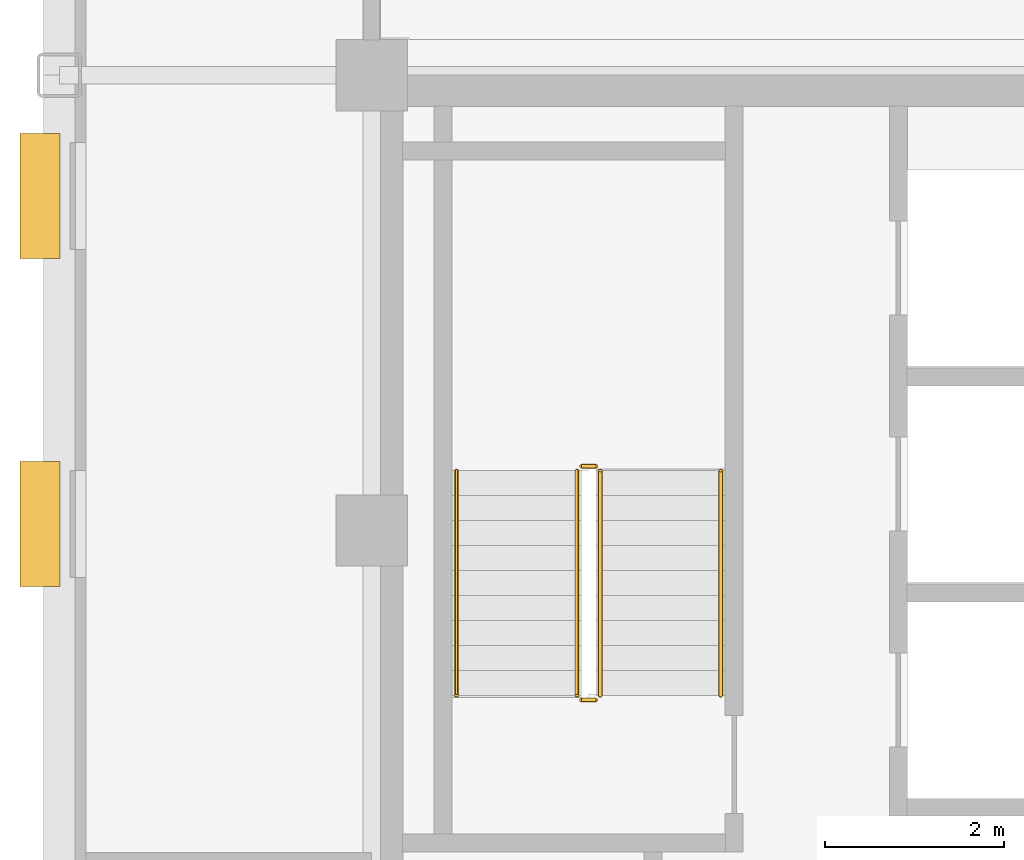
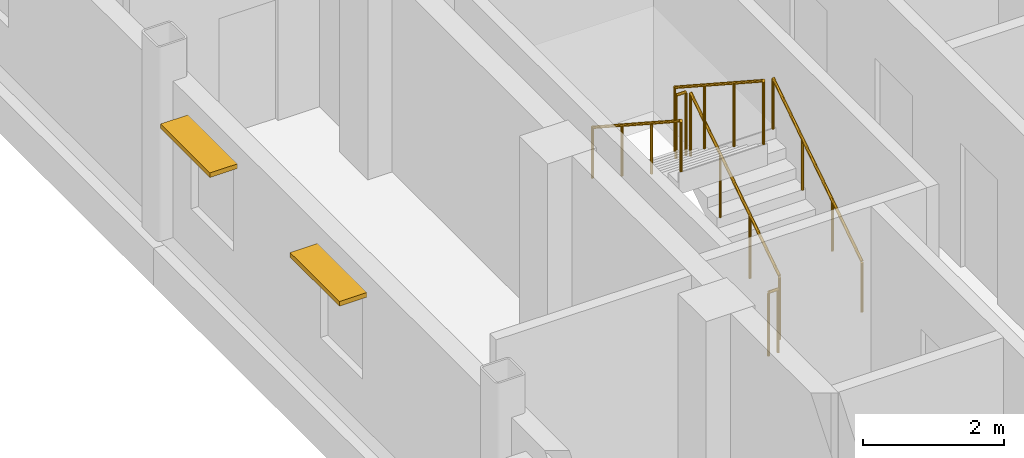
# One storey, part 11 of 13: 6 railings, 2 shading devices.
"""IFC4 building model written with IfcOpenShell, lengths in metres."""

from ifc_helpers import new_model, si_unit, direction, frame, origin, origin_2d, place, context, subcontext, project, spatial, rectangle, circle, extrude, source, transform, mapped, material, type_object, type_shapes, element, save


model = new_model("IFC4")

# Units and contexts
model_context = context("Model", 3, precision=1e-05, world=origin(), true_north=direction((0.0, 1.0)))
body_context = subcontext(model_context, "Body", "Model", "MODEL_VIEW")
ifc_project = project(units=[si_unit("LENGTHUNIT", "METRE"), si_unit("AREAUNIT", "SQUARE_METRE"), si_unit("VOLUMEUNIT", "CUBIC_METRE"), si_unit("PLANEANGLEUNIT", "RADIAN"), si_unit("MASSUNIT", "GRAM", prefix="KILO")], contexts=[model_context])

# Site, building, storey
site_placement = place(None, origin())
site = spatial("IfcSite", under=ifc_project, at=site_placement, CompositionType="ELEMENT")
building_placement = place(site_placement, origin())
building = spatial("IfcBuilding", under=site, at=building_placement, Name="Nuvemarco Arch Tower", CompositionType="ELEMENT")
storey_placement = place(building_placement, frame((0.0, 0.0, 276.199951171875)))
storey = spatial("IfcBuildingStorey", under=building, at=storey_placement, Name="L73", CompositionType="ELEMENT", Elevation=276.199951171875)

# Railings
ifc_material_1 = material(Name="Brushed stainless steel handrail", Category="steel")
railing_type_1 = type_object("IfcRailingType", Name="RL-HANDRAIL-900", PredefinedType="HANDRAIL", material=ifc_material_1)
railing_1_placement = place(storey_placement, frame((-13.590087890625, 2.64990234375, 0.1826171875)))
element("IfcRailing", 1, at=railing_1_placement, inside=storey, type_object=railing_type_1, Name="L73 ST-1 stair handrail 1", PredefinedType="HANDRAIL", context=body_context, shape_type="SweptSolid", body=[
    extrude(circle(Radius=0.02392578125, at=origin_2d()), frame((0.0, 0.0, 0.8759765625), z_axis=(0.0, 0.837786554691, 0.545997883492), x_axis=(-1.0, 0.0, 0.0)), (0.0, 0.0, 1.0), 3.008056640625),
    extrude(circle(Radius=0.02099609375, at=origin_2d()), origin(), (0.0, 0.0, 1.0), 0.851806640625),
    extrude(circle(Radius=0.02099609375, at=origin_2d()), frame((0.0, 0.840087890625, 0.54736328125)), (0.0, 0.0, 1.0), 0.851806640625),
    extrude(circle(Radius=0.02099609375, at=origin_2d()), frame((0.0, 1.679931640625, 1.094970703125)), (0.0, 0.0, 1.0), 0.851806640625),
    extrude(circle(Radius=0.02099609375, at=origin_2d()), frame((0.0, 2.52001953125, 1.642333984375)), (0.0, 0.0, 1.0), 0.851806640625),
])
railing_2_placement = place(storey_placement, frame((-16.550048828125, 5.169921875, 2.007568359375)))
element("IfcRailing", 2, at=railing_2_placement, inside=storey, type_object=railing_type_1, Name="L73 ST-1 stair handrail 2", PredefinedType="HANDRAIL", context=body_context, shape_type="SweptSolid", body=[
    extrude(circle(Radius=0.02392578125, at=origin_2d()), frame((0.0, 0.0, 0.8759765625), z_axis=(0.0, -0.837749427056, 0.546054848405), x_axis=(1.0, 0.0, 0.0)), (0.0, 0.0, 1.0), 3.008056640625),
    extrude(circle(Radius=0.02099609375, at=origin_2d()), origin(), (0.0, 0.0, 1.0), 0.851806640625),
    extrude(circle(Radius=0.02099609375, at=origin_2d()), frame((0.0, -0.840087890625, 0.547607421875)), (0.0, 0.0, 1.0), 0.851806640625),
    extrude(circle(Radius=0.02099609375, at=origin_2d()), frame((0.0, -1.679931640625, 1.094970703125)), (0.0, 0.0, 1.0), 0.851806640625),
    extrude(circle(Radius=0.02099609375, at=origin_2d()), frame((0.0, -2.52001953125, 1.642578125)), (0.0, 0.0, 1.0), 0.851806640625),
])
ifc_material_2 = material(Name="Painted balustrade steel S355", Category="steel")
railing_type_2 = type_object("IfcRailingType", Name="RL-STAIR-GUARD", PredefinedType="GUARDRAIL", material=ifc_material_2)
railing_3_placement = place(storey_placement, frame((-14.93994140625, 2.64990234375, 0.1826171875)))
element("IfcRailing", 3, at=railing_3_placement, inside=storey, type_object=railing_type_2, Name="L73 ST-1 stair guard 1", PredefinedType="GUARDRAIL", context=body_context, shape_type="SweptSolid", body=[
    extrude(circle(Radius=0.02392578125, at=origin_2d()), frame((0.0, 0.0, 1.09619140625), z_axis=(0.0, 0.837786554691, 0.545997883492), x_axis=(-1.0, 0.0, 0.0)), (0.0, 0.0, 1.0), 3.008056640625),
    extrude(circle(Radius=0.02099609375, at=origin_2d()), origin(), (0.0, 0.0, 1.0), 1.072021484375),
    extrude(circle(Radius=0.02099609375, at=origin_2d()), frame((0.0, 0.840087890625, 0.54736328125)), (0.0, 0.0, 1.0), 1.072021484375),
    extrude(circle(Radius=0.02099609375, at=origin_2d()), frame((0.0, 1.679931640625, 1.094970703125)), (0.0, 0.0, 1.0), 1.072021484375),
    extrude(circle(Radius=0.02099609375, at=origin_2d()), frame((0.0, 2.52001953125, 1.642333984375)), (0.0, 0.0, 1.0), 1.072021484375),
])
railing_4_placement = place(storey_placement, frame((-14.989990234375, 5.219970703125, 1.824951171875)))
element("IfcRailing", 4, at=railing_4_placement, inside=storey, type_object=railing_type_2, Name="L73 ST-1 stair guard 2", PredefinedType="GUARDRAIL", context=body_context, shape_type="SweptSolid", body=[
    extrude(circle(Radius=0.02392578125, at=origin_2d()), frame((0.0, 0.0, 1.09619140625), z_axis=(-1.0, 0.0, 0.0), x_axis=(0.0, -1.0, 0.0)), (0.0, 0.0, 1.0), 0.159912109375),
    extrude(circle(Radius=0.02099609375, at=origin_2d()), origin(), (0.0, 0.0, 1.0), 1.072021484375),
    extrude(circle(Radius=0.02099609375, at=origin_2d()), frame((-0.159912109375, 0.0, 0.0)), (0.0, 0.0, 1.0), 1.072021484375),
])
railing_5_placement = place(storey_placement, frame((-15.199951171875, 5.169921875, 2.007568359375)))
element("IfcRailing", 5, at=railing_5_placement, inside=storey, type_object=railing_type_2, Name="L73 ST-1 stair guard 3", PredefinedType="GUARDRAIL", context=body_context, shape_type="SweptSolid", body=[
    extrude(circle(Radius=0.02392578125, at=origin_2d()), frame((0.0, 0.0, 1.09619140625), z_axis=(0.0, -0.837749427056, 0.546054848405), x_axis=(1.0, 0.0, 0.0)), (0.0, 0.0, 1.0), 3.008056640625),
    extrude(circle(Radius=0.02099609375, at=origin_2d()), origin(), (0.0, 0.0, 1.0), 1.072021484375),
    extrude(circle(Radius=0.02099609375, at=origin_2d()), frame((0.0, -0.840087890625, 0.547607421875)), (0.0, 0.0, 1.0), 1.072021484375),
    extrude(circle(Radius=0.02099609375, at=origin_2d()), frame((0.0, -1.679931640625, 1.094970703125)), (0.0, 0.0, 1.0), 1.072021484375),
    extrude(circle(Radius=0.02099609375, at=origin_2d()), frame((0.0, -2.52001953125, 1.642578125)), (0.0, 0.0, 1.0), 1.072021484375),
])
railing_6_placement = place(storey_placement, frame((-14.989990234375, 2.60009765625, 0.0)))
element("IfcRailing", 6, at=railing_6_placement, inside=storey, type_object=railing_type_2, Name="L73 ST-1 stair guard 4", PredefinedType="GUARDRAIL", context=body_context, shape_type="SweptSolid", body=[
    extrude(circle(Radius=0.02392578125, at=origin_2d()), frame((0.0, 0.0, 1.09619140625), z_axis=(-1.0, 0.0, 0.0), x_axis=(0.0, -1.0, 0.0)), (0.0, 0.0, 1.0), 0.159912109375),
    extrude(circle(Radius=0.02099609375, at=origin_2d()), origin(), (0.0, 0.0, 1.0), 1.072021484375),
    extrude(circle(Radius=0.02099609375, at=origin_2d()), frame((-0.159912109375, 0.0, 0.0)), (0.0, 0.0, 1.0), 1.072021484375),
])

# Shading devices
ifc_material_3 = material(Name="Anodised aluminium 6063-T6", Category="aluminium")
shading_device_type = type_object("IfcShadingDeviceType", Name="SHD-BRISE-NARROW", PredefinedType="USERDEFINED", material=ifc_material_3)
shared_shape = source(origin(), body_context, "Body", "SweptSolid", [
    extrude(rectangle(XDim=1.39990234375, YDim=0.449951171875, at=origin_2d()), origin(), (0.0, 0.0, 1.0), 0.080078125),
])
type_shapes(shading_device_type, [shared_shape])
for number, where, z_axis, x_axis, name in (
    (7, (-21.215087890625, 4.572509765625, 2.284912109375), (0.0, 0.0, 1.0), (0.0, 1.0, 0.0), "L73 horizontal brise-soleil sunshade"),
    (8, (-21.215087890625, 8.2451171875, 2.284912109375), (0.0, 0.0, 1.0), (0.0, 1.0, 0.0), "L73 horizontal brise-soleil sunshade"),
):
    element("IfcShadingDevice", number, at=place(storey_placement, frame(where, z_axis=z_axis, x_axis=x_axis)), inside=storey, type_object=shading_device_type, Name=name, ObjectType="SUNSHADE", PredefinedType="USERDEFINED", context=body_context, shape_type="MappedRepresentation", body=[
        mapped(shared_shape, transform((0.0, 0.0, 0.0), scale=1.0)),
    ])

save(model, "model.ifc")
